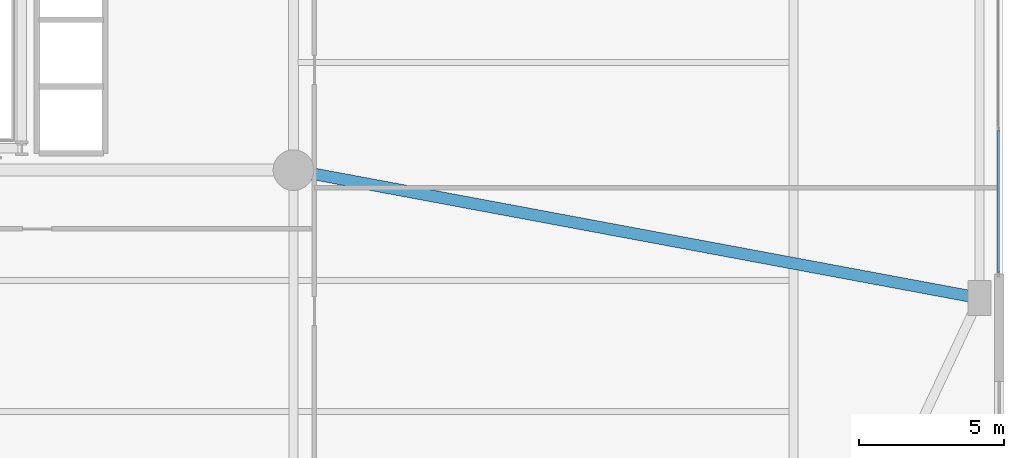
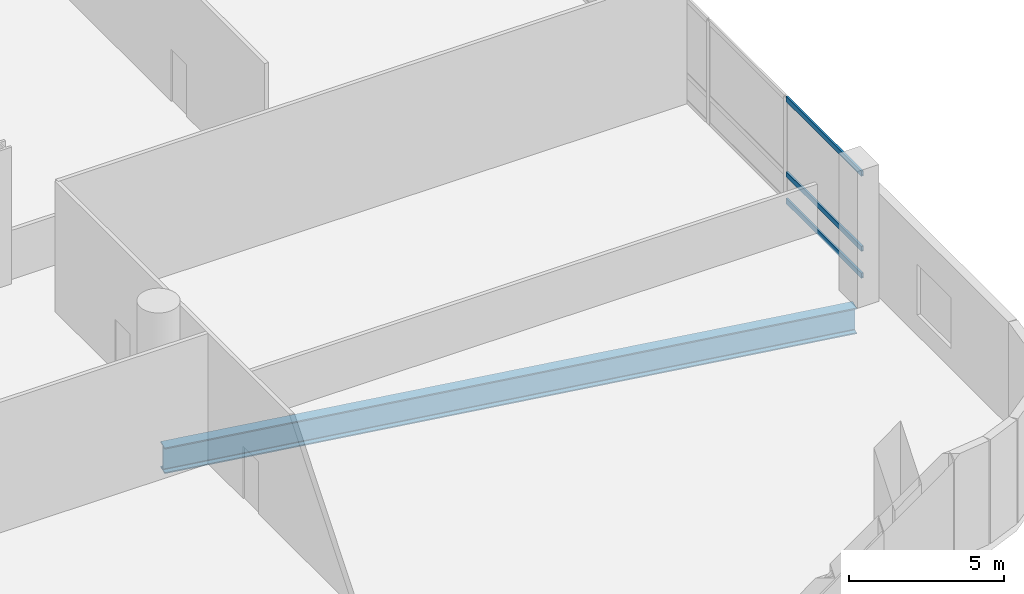
# One storey, part 17 of 31: 3 members, 1 beam, 1 element without a shape of its own.
"""IFC4 building model written with IfcOpenShell, lengths in metres."""

from ifc_helpers import new_model, si_unit, direction, frame, origin, origin_2d, place, context, subcontext, project, spatial, hollow_rectangle, i_section, extrude, material, layer, layer_set, material_profile, profile_set, type_object, element, aggregate, save


model = new_model("IFC4")

# Units and contexts
model_context = context("Model", 3, precision=1e-05, world=origin(), true_north=direction((0.0, 1.0)))
body_context = subcontext(model_context, "Body", "Model", "MODEL_VIEW")
ifc_project = project(units=[si_unit("LENGTHUNIT", "METRE"), si_unit("AREAUNIT", "SQUARE_METRE"), si_unit("VOLUMEUNIT", "CUBIC_METRE"), si_unit("PLANEANGLEUNIT", "RADIAN"), si_unit("MASSUNIT", "GRAM", prefix="KILO")], contexts=[model_context])

# Site, building, storey
site_placement = place(None, origin())
site = spatial("IfcSite", under=ifc_project, at=site_placement, CompositionType="ELEMENT")
building_placement = place(site_placement, origin())
building = spatial("IfcBuilding", under=site, at=building_placement, Name="Varnelok Gate Tower", CompositionType="ELEMENT")
storey_placement = place(building_placement, frame((0.0, 0.0, 21.60009765625)))
storey = spatial("IfcBuildingStorey", under=building, at=storey_placement, Name="L04", CompositionType="ELEMENT", Elevation=21.60009765625)

# Beam
ifc_material_1 = material(Name="Structural Steel ASTM A992 Grade 50", Category="steel")
ifc_material_profile_1 = material_profile(ifc_material_1, i_section(OverallWidth=0.404052734375, OverallDepth=1.02001953125, WebThickness=0.025390625, FlangeThickness=0.0458984375, FilletRadius=0.030029296875, at=origin_2d()), Name="W40X324")
ifc_profile_set_1 = profile_set([ifc_material_profile_1], Name="Structural Steel ASTM A992 Grade 50")
beam_type = type_object("IfcBeamType", Name="BM-SPR-W40X324", PredefinedType="BEAM", material=ifc_profile_set_1)
beam_placement = place(storey_placement, frame((54.1376953125, 18.7744140625, -0.830078125), z_axis=(0.983060613177, -0.18328074318, 0.0), x_axis=(0.18328074318, 0.983060613177, 0.0)))
element("IfcBeam", 1, at=beam_placement, inside=storey, type_object=beam_type, Name="L04 Podium Primary Girder 17", PredefinedType="BEAM", context=body_context, shape_type="SweptSolid", body=[
    extrude(i_section(OverallWidth=0.404052734375, OverallDepth=1.02001953125, WebThickness=0.025390625, FlangeThickness=0.0458984375, FilletRadius=0.030029296875, at=origin_2d()), origin(), (0.0, 0.0, 1.0), 23.7265625),
])

# Curtain wall, members
ifc_material_2 = material(Name="Anodized Aluminum Alloy 6063-T6", Category="aluminium")
ifc_layer = layer(ifc_material_2, 0.179931640625)
ifc_layer_set = layer_set([ifc_layer], Name="Anodized Aluminum Alloy 6063-T6")
curtain_wall_type = type_object("IfcCurtainWallType", Name="CW1-ARCH-PORTAL", PredefinedType="USERDEFINED", material=ifc_layer_set)
curtain_wall_placement = place(storey_placement, origin())
curtain_wall = element("IfcCurtainWall", 2, at=curtain_wall_placement, inside=storey, type_object=curtain_wall_type, Name="L04 Podium Portal Curtain Wall E", ObjectType="UNITISED CURTAIN WALL", PredefinedType="USERDEFINED")
ifc_material_profile_2 = material_profile(ifc_material_2, hollow_rectangle(XDim=0.074951171875, YDim=0.199951171875, WallThickness=0.00390625, at=origin_2d()), Name="ALU200X75X4")
ifc_profile_set_2 = profile_set([ifc_material_profile_2], Name="Anodized Aluminum Alloy 6063-T6")
member_type = type_object("IfcMemberType", Name="CW-TRAN-200", PredefinedType="USERDEFINED", material=ifc_profile_set_2)
member_1_placement = place(storey_placement, frame((78.239990234375, 20.16259765625, 0.037353515625), z_axis=(0.0, -1.0, 0.0), x_axis=(1.0, 0.0, 0.0)))
member_1 = element("IfcMember", 3, at=member_1_placement, type_object=member_type, Name="CW1 transom 4.1", ObjectType="TRANSOM", PredefinedType="USERDEFINED", context=body_context, shape_type="SweptSolid", body=[
    extrude(hollow_rectangle(XDim=0.074951171875, YDim=0.199951171875, WallThickness=0.00390625, at=origin_2d()), origin(), (0.0, 0.0, 1.0), 4.8876953125),
])
member_2_placement = place(storey_placement, frame((78.239990234375, 20.16259765625, 1.099853515625), z_axis=(0.0, -1.0, 0.0), x_axis=(1.0, 0.0, 0.0)))
member_2 = element("IfcMember", 4, at=member_2_placement, type_object=member_type, Name="CW1 transom 4.2", ObjectType="TRANSOM", PredefinedType="USERDEFINED", context=body_context, shape_type="SweptSolid", body=[
    extrude(hollow_rectangle(XDim=0.074951171875, YDim=0.199951171875, WallThickness=0.00390625, at=origin_2d()), origin(), (0.0, 0.0, 1.0), 4.8876953125),
])
member_3_placement = place(storey_placement, frame((78.239990234375, 20.16259765625, 4.0625), z_axis=(0.0, -1.0, 0.0), x_axis=(1.0, 0.0, 0.0)))
member_3 = element("IfcMember", 5, at=member_3_placement, type_object=member_type, Name="CW1 transom 4.3", ObjectType="TRANSOM", PredefinedType="USERDEFINED", context=body_context, shape_type="SweptSolid", body=[
    extrude(hollow_rectangle(XDim=0.074951171875, YDim=0.199951171875, WallThickness=0.00390625, at=origin_2d()), origin(), (0.0, 0.0, 1.0), 4.8876953125),
])
aggregate(curtain_wall, [member_1, member_2, member_3])

save(model, "model.ifc")
